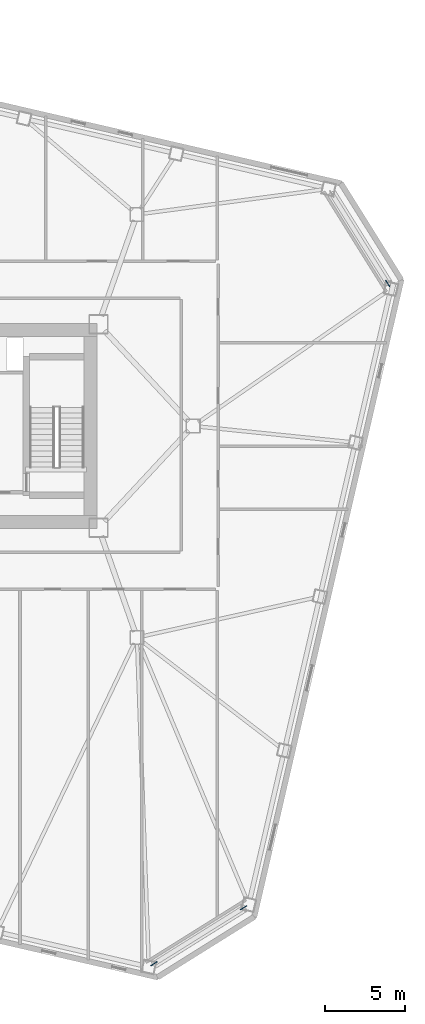
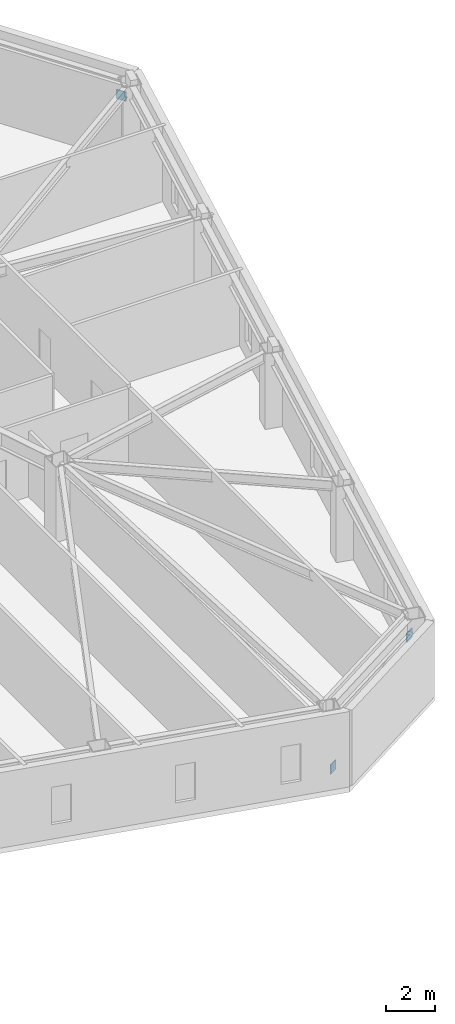
# One storey, part 16 of 18: 3 discrete accessories.
"""IFC4 building model written with IfcOpenShell, lengths in metres."""

from ifc_helpers import new_model, si_unit, direction, frame, origin, origin_2d, place, context, subcontext, project, spatial, rectangle, extrude, material, type_object, element, save


model = new_model("IFC4")

# Units and contexts
model_context = context("Model", 3, precision=1e-05, world=origin(), true_north=direction((0.0, 1.0)))
body_context = subcontext(model_context, "Body", "Model", "MODEL_VIEW")
ifc_project = project(units=[si_unit("LENGTHUNIT", "METRE"), si_unit("AREAUNIT", "SQUARE_METRE"), si_unit("VOLUMEUNIT", "CUBIC_METRE"), si_unit("PLANEANGLEUNIT", "RADIAN"), si_unit("MASSUNIT", "GRAM", prefix="KILO")], contexts=[model_context])

# Site, building, storey
site_placement = place(None, origin())
site = spatial("IfcSite", under=ifc_project, at=site_placement, CompositionType="ELEMENT")
building_placement = place(site_placement, origin())
building = spatial("IfcBuilding", under=site, at=building_placement, Name="Tavrogorsk Clinical Tower", CompositionType="ELEMENT")
storey_placement = place(building_placement, frame((0.0, 0.0, 51.39990234375)))
storey = spatial("IfcBuildingStorey", under=building, at=storey_placement, Name="L10", CompositionType="ELEMENT", Elevation=51.39990234375)

# Discrete accessories
ifc_material = material(Name="Structural steel S440", Category="steel")
discrete_accessory_type = type_object("IfcDiscreteAccessoryType", Name="GussetPlateBracket_25", PredefinedType="BRACKET", material=ifc_material)
for number, where, z_axis, x_axis, name in (
    (1, (25.56396484375, -33.553955078125, 0.212646484375), (0.0, 0.0, 1.0), (0.848048096156, 0.529919264233, 0.0), "L10 Brace Gusset Plate EXOCRN-L10-1-A"),
    (2, (31.15185546875, -30.062255859375, 2.667724609375), (0.0, 0.0, 1.0), (0.848048096156, 0.529919264233, 0.0), "L10 Brace Gusset Plate EXOCRN-L10-1-B"),
    (3, (40.145751953125, 8.893798828125, 2.667724609375), (0.0, 0.0, 1.0), (0.529919264233, -0.848048096156, 0.0), "L10 Brace Gusset Plate EXOCRN-L10-2-B"),
):
    element("IfcDiscreteAccessory", number, at=place(storey_placement, frame(where, z_axis=z_axis, x_axis=x_axis)), inside=storey, type_object=discrete_accessory_type, Name=name, PredefinedType="BRACKET", context=body_context, shape_type="SweptSolid", body=[
        extrude(rectangle(XDim=0.4599609375, YDim=0.0400390625, at=origin_2d()), origin(), (0.0, 0.0, 1.0), 0.4599609375),
    ])

save(model, "model.ifc")
